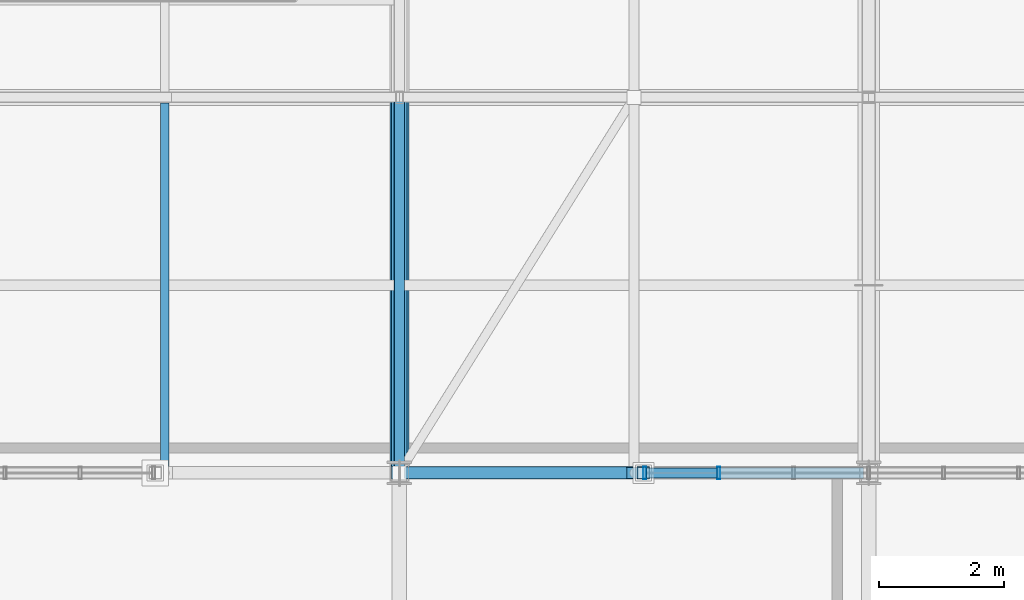
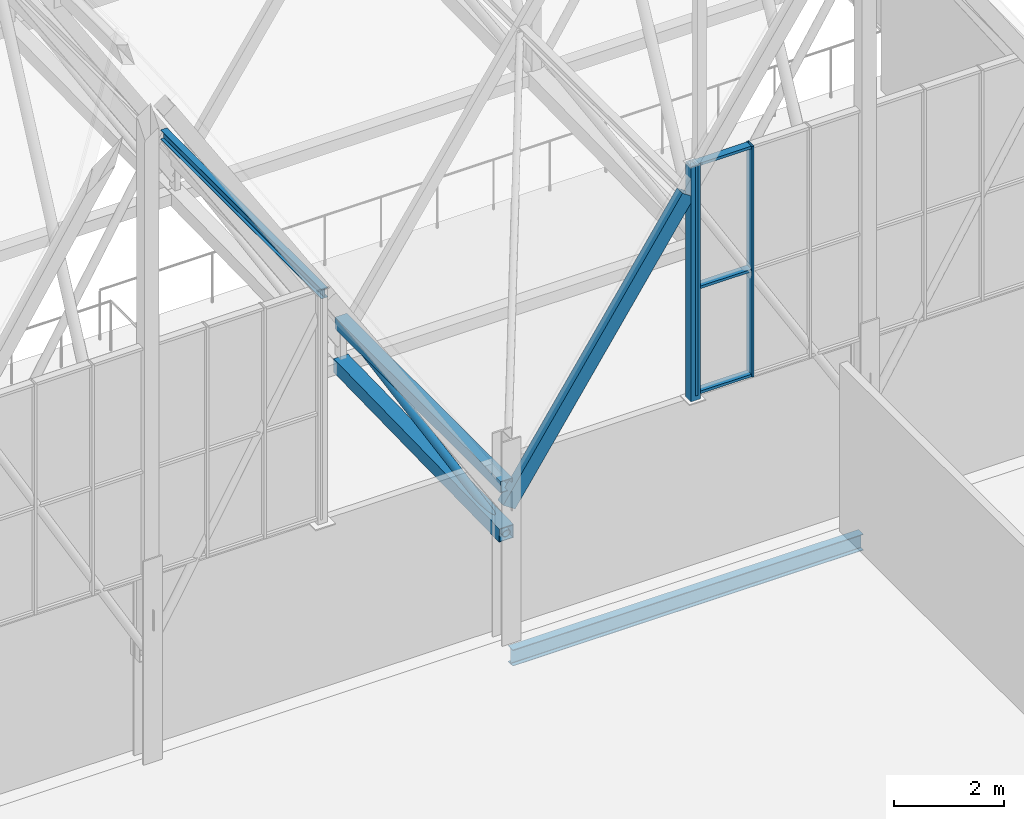
# One storey, part 212 of 324: 10 members, 2 beams, 1 element without a shape of its own.
"""IFC4 building model written with IfcOpenShell, lengths in metres."""

from ifc_helpers import new_model, si_unit, direction, frame, origin, origin_2d, place, context, subcontext, project, spatial, hollow_rectangle, hollow_circle, i_section, extrude, material, layer, layer_set, material_profile, profile_set, type_object, element, aggregate, save


model = new_model("IFC4")

# Units and contexts
model_context = context("Model", 3, precision=1e-05, world=origin(), true_north=direction((0.0, 1.0)))
body_context = subcontext(model_context, "Body", "Model", "MODEL_VIEW")
ifc_project = project(units=[si_unit("LENGTHUNIT", "METRE"), si_unit("AREAUNIT", "SQUARE_METRE"), si_unit("VOLUMEUNIT", "CUBIC_METRE"), si_unit("PLANEANGLEUNIT", "RADIAN"), si_unit("MASSUNIT", "GRAM", prefix="KILO")], contexts=[model_context])

# Site, building, storey
site_placement = place(None, origin())
site = spatial("IfcSite", under=ifc_project, at=site_placement, CompositionType="ELEMENT")
building_placement = place(site_placement, origin())
building = spatial("IfcBuilding", under=site, at=building_placement, Name="Solvenia Promenade Tram Depot", CompositionType="ELEMENT")
storey_placement = place(building_placement, frame((0.0, 0.0, 4.5)))
storey = spatial("IfcBuildingStorey", under=building, at=storey_placement, Name="L01", CompositionType="ELEMENT", Elevation=4.5)

# Curtain wall, members
ifc_material_1 = material(Name="Anodized aluminium AW-6063 T6", Category="aluminium")
ifc_layer = layer(ifc_material_1, 0.14990234375, Name="Anodized aluminium AW-6063 T6", Category="aluminium")
ifc_layer_set = layer_set([ifc_layer], Name="Anodized aluminium AW-6063 T6")
curtain_wall_type = type_object("IfcCurtainWallType", Name="CW-Gable-1200", PredefinedType="NOTDEFINED", material=ifc_layer_set)
curtain_wall_placement = place(storey_placement, origin())
curtain_wall = element("IfcCurtainWall", 1, at=curtain_wall_placement, inside=storey, type_object=curtain_wall_type, Name="South Zigzag Gable 10 Peak Glazing", PredefinedType="NOTDEFINED")
ifc_material_profile_1 = material_profile(ifc_material_1, hollow_rectangle(XDim=0.199951171875, YDim=0.048095703125, WallThickness=0.00390625, at=origin_2d()), Name="ALU-M3", Category="aluminium")
ifc_profile_set_1 = profile_set([ifc_material_profile_1], Name="Anodized aluminium AW-6063 T6")
member_type_1 = type_object("IfcMemberType", Name="CWM-Mullion-3", PredefinedType="MULLION", material=ifc_profile_set_1)
member_1_placement = place(storey_placement, frame((138.924072265625, 66.0, 4.050048828125), z_axis=(0.0, 0.0, 1.0), x_axis=(0.0, 1.0, 0.0)))
member_1 = element("IfcMember", 2, at=member_1_placement, type_object=member_type_1, Name="CW-3 mullion 1", PredefinedType="MULLION", context=body_context, shape_type="SweptSolid", body=[
    extrude(hollow_rectangle(XDim=0.199951171875, YDim=0.048095703125, WallThickness=0.00390625, at=origin_2d()), origin(), (0.0, 0.0, 1.0), 5.099853515625),
])
member_2_placement = place(storey_placement, frame((140.10009765625, 66.0, 4.050048828125), z_axis=(0.0, 0.0, 1.0), x_axis=(0.0, 1.0, 0.0)))
member_2 = element("IfcMember", 3, at=member_2_placement, type_object=member_type_1, Name="CW-3 mullion 2", PredefinedType="MULLION", context=body_context, shape_type="SweptSolid", body=[
    extrude(hollow_rectangle(XDim=0.199951171875, YDim=0.048095703125, WallThickness=0.00390625, at=origin_2d()), origin(), (0.0, 0.0, 1.0), 5.099853515625),
])
ifc_material_profile_2 = material_profile(ifc_material_1, hollow_rectangle(XDim=0.159912109375, YDim=0.05810546875, WallThickness=0.00390625, at=origin_2d()), Name="ALU-T3", Category="aluminium")
ifc_profile_set_2 = profile_set([ifc_material_profile_2], Name="Anodized aluminium AW-6063 T6")
member_type_2 = type_object("IfcMemberType", Name="CWT-Transom-3", PredefinedType="USERDEFINED", material=ifc_profile_set_2)
member_3_placement = place(storey_placement, frame((138.947998046875, 66.0, 4.0791015625), z_axis=(1.0, 0.0, 0.0), x_axis=(0.0, 1.0, 0.0)))
member_3 = element("IfcMember", 4, at=member_3_placement, type_object=member_type_2, Name="CW-3 transom 1.1", ObjectType="TRANSOM", PredefinedType="USERDEFINED", context=body_context, shape_type="SweptSolid", body=[
    extrude(hollow_rectangle(XDim=0.159912109375, YDim=0.05810546875, WallThickness=0.00390625, at=origin_2d()), origin(), (0.0, 0.0, 1.0), 1.1279296875),
])
member_4_placement = place(storey_placement, frame((138.947998046875, 66.0, 6.39990234375), z_axis=(1.0, 0.0, 0.0), x_axis=(0.0, 1.0, 0.0)))
member_4 = element("IfcMember", 5, at=member_4_placement, type_object=member_type_2, Name="CW-3 transom 1.2", ObjectType="TRANSOM", PredefinedType="USERDEFINED", context=body_context, shape_type="SweptSolid", body=[
    extrude(hollow_rectangle(XDim=0.159912109375, YDim=0.05810546875, WallThickness=0.00390625, at=origin_2d()), origin(), (0.0, 0.0, 1.0), 1.1279296875),
])
member_5_placement = place(storey_placement, frame((138.947998046875, 66.0, 9.12109375), z_axis=(1.0, 0.0, 0.0), x_axis=(0.0, 1.0, 0.0)))
member_5 = element("IfcMember", 6, at=member_5_placement, type_object=member_type_2, Name="CW-3 transom 1.3", ObjectType="TRANSOM", PredefinedType="USERDEFINED", context=body_context, shape_type="SweptSolid", body=[
    extrude(hollow_rectangle(XDim=0.159912109375, YDim=0.05810546875, WallThickness=0.00390625, at=origin_2d()), origin(), (0.0, 0.0, 1.0), 1.1279296875),
])
aggregate(curtain_wall, [member_1, member_2, member_3, member_4, member_5])

# Members
ifc_material_2 = material(Name="Structural steel ASTM A500 Gr. C", Category="steel")
ifc_material_profile_3 = material_profile(ifc_material_2, hollow_rectangle(XDim=0.25, YDim=0.25, WallThickness=0.010009765625, at=origin_2d()), Name="HSS250x250x10", Category="steel")
ifc_profile_set_3 = profile_set([ifc_material_profile_3], Name="Structural steel ASTM A500 Gr. C")
member_type_3 = type_object("IfcMemberType", Name="Chord-HSS250x250x10", PredefinedType="CHORD", material=ifc_profile_set_3)
member_6_placement = place(storey_placement, frame((135.0, 66.0, 3.3798828125), z_axis=(0.0, 1.0, 0.0), x_axis=(-1.0, 0.0, 0.0)))
element("IfcMember", 7, at=member_6_placement, inside=storey, type_object=member_type_3, Name="Arched Truss T19 Upper Chord S01", PredefinedType="CHORD", context=body_context, shape_type="SweptSolid", body=[
    extrude(hollow_rectangle(XDim=0.25, YDim=0.25, WallThickness=0.010009765625, at=origin_2d()), origin(), (0.0, 0.0, 1.0), 6.0),
])
ifc_material_profile_4 = material_profile(ifc_material_2, hollow_rectangle(XDim=0.199951171875, YDim=0.300048828125, WallThickness=0.012451171875, at=origin_2d()), Name="HSS300x200x12.5", Category="steel")
ifc_profile_set_4 = profile_set([ifc_material_profile_4], Name="Structural steel ASTM A500 Gr. C")
member_type_4 = type_object("IfcMemberType", Name="Chord-HSS300x200x12", PredefinedType="CHORD", material=ifc_profile_set_4)
member_7_placement = place(storey_placement, frame((135.0, 66.0, 2.95703125), z_axis=(0.557276274528, 0.0, 0.830327136644), x_axis=(0.0, 1.0, 0.0)))
element("IfcMember", 8, at=member_7_placement, inside=storey, type_object=member_type_4, Name="Zigzag Gable 10 West Lower Rafter", PredefinedType="CHORD", context=body_context, shape_type="SweptSolid", body=[
    extrude(hollow_rectangle(XDim=0.199951171875, YDim=0.300048828125, WallThickness=0.012451171875, at=origin_2d()), origin(), (0.0, 0.0, 1.0), 6.729248046875),
])
ifc_material_profile_5 = material_profile(ifc_material_2, hollow_rectangle(XDim=0.300048828125, YDim=0.300048828125, WallThickness=0.012451171875, at=origin_2d()), Name="HSS300x300x12.5", Category="steel")
ifc_profile_set_5 = profile_set([ifc_material_profile_5], Name="Structural steel ASTM A500 Gr. C")
member_type_5 = type_object("IfcMemberType", Name="Chord-HSS300x300x12", PredefinedType="CHORD", material=ifc_profile_set_5)
member_8_placement = place(storey_placement, frame((135.0, 66.0, 2.320068359375), z_axis=(0.0, 0.999779654873, 0.020991467363), x_axis=(-1.0, 0.0, 0.0)))
element("IfcMember", 9, at=member_8_placement, inside=storey, type_object=member_type_5, Name="Arched Truss T19 Bottom Chord S01", PredefinedType="CHORD", context=body_context, shape_type="SweptSolid", body=[
    extrude(hollow_rectangle(XDim=0.300048828125, YDim=0.300048828125, WallThickness=0.012451171875, at=origin_2d()), origin(), (0.0, 0.0, 1.0), 6.001220703125),
])
ifc_material_profile_6 = material_profile(ifc_material_2, hollow_rectangle(XDim=0.199951171875, YDim=0.199951171875, WallThickness=0.010009765625, at=origin_2d()), Name="HSS200x200x10", Category="steel")
ifc_profile_set_6 = profile_set([ifc_material_profile_6], Name="Structural steel ASTM A500 Gr. C")
member_type_6 = type_object("IfcMemberType", Name="Post-HSS200x200x10", PredefinedType="POST", material=ifc_profile_set_6)
member_9_placement = place(storey_placement, frame((138.89990234375, 66.0, 3.949951171875), z_axis=(0.0, 0.0, 1.0), x_axis=(1.0, 0.0, 0.0)))
element("IfcMember", 10, at=member_9_placement, inside=storey, type_object=member_type_6, Name="Gable Curtain-Wall Steel Jamb Post 039", PredefinedType="POST", context=body_context, shape_type="SweptSolid", body=[
    extrude(hollow_rectangle(XDim=0.199951171875, YDim=0.199951171875, WallThickness=0.010009765625, at=origin_2d()), origin(), (0.0, 0.0, 1.0), 5.199951171875),
])

# Beams
ifc_material_3 = material(Name="Structural steel ASTM A992 Gr. 50", Category="steel")
ifc_material_profile_7 = material_profile(ifc_material_3, i_section(OverallWidth=0.133056640625, OverallDepth=0.20703125, WebThickness=0.005859375, FlangeThickness=0.00830078125, FilletRadius=0.009033203125, at=origin_2d()), Name="W200x27", Category="steel")
ifc_profile_set_7 = profile_set([ifc_material_profile_7], Name="Structural steel ASTM A992 Gr. 50")
beam_type_1 = type_object("IfcBeamType", Name="Purlin-W200x27", PredefinedType="USERDEFINED", material=ifc_profile_set_7)
beam_1_placement = place(storey_placement, frame((131.25, 66.0849609375, 8.8857421875), z_axis=(0.0, 1.0, 0.0), x_axis=(-1.0, 0.0, 0.0)))
element("IfcBeam", 11, at=beam_1_placement, inside=storey, type_object=beam_type_1, Name="Gable Roof Purlin E-0162", ObjectType="PURLIN", PredefinedType="USERDEFINED", context=body_context, shape_type="SweptSolid", body=[
    extrude(i_section(OverallWidth=0.133056640625, OverallDepth=0.20703125, WebThickness=0.005859375, FlangeThickness=0.00830078125, FilletRadius=0.009033203125, at=origin_2d()), origin(), (0.0, 0.0, 1.0), 5.830078125),
])
ifc_material_profile_8 = material_profile(ifc_material_3, i_section(OverallWidth=0.172119140625, OverallDepth=0.35791015625, WebThickness=0.0078125, FlangeThickness=0.01318359375, FilletRadius=0.010986328125, at=origin_2d()), Name="W360x57", Category="steel")
ifc_profile_set_8 = profile_set([ifc_material_profile_8], Name="Structural steel ASTM A992 Gr. 50")
beam_type_2 = type_object("IfcBeamType", Name="Spandrel-W360x57", PredefinedType="SPANDREL", material=ifc_profile_set_8)
beam_2_placement = place(storey_placement, frame((135.0849609375, 66.0, -0.4189453125), z_axis=(1.0, 0.0, 0.0), x_axis=(0.0, 1.0, 0.0)))
element("IfcBeam", 12, at=beam_2_placement, inside=storey, type_object=beam_type_2, Name="Perimeter Spandrel BM-L01-0019", PredefinedType="SPANDREL", context=body_context, shape_type="SweptSolid", body=[
    extrude(i_section(OverallWidth=0.172119140625, OverallDepth=0.35791015625, WebThickness=0.0078125, FlangeThickness=0.01318359375, FilletRadius=0.010986328125, at=origin_2d()), origin(), (0.0, 0.0, 1.0), 7.330078125),
])

# Member
ifc_material_profile_9 = material_profile(ifc_material_2, hollow_circle(Radius=0.084228515625, WallThickness=0.008056640625, at=origin_2d()), Name="CHS168.3x8", Category="steel")
ifc_profile_set_9 = profile_set([ifc_material_profile_9], Name="Structural steel ASTM A500 Gr. C")
member_type_7 = type_object("IfcMemberType", Name="WebDiag-CHS168x8", PredefinedType="BRACE", material=ifc_profile_set_9)
member_10_placement = place(storey_placement, frame((135.0, 66.0, 2.320068359375), z_axis=(0.0, 0.984755712458, 0.173943056143), x_axis=(-1.0, 0.0, 0.0)))
element("IfcMember", 13, at=member_10_placement, inside=storey, type_object=member_type_7, Name="Arched Truss T19 Web Diagonal S01", PredefinedType="BRACE", context=body_context, shape_type="SweptSolid", body=[
    extrude(hollow_circle(Radius=0.084228515625, WallThickness=0.008056640625, at=origin_2d()), origin(), (0.0, 0.0, 1.0), 6.0927734375),
])

save(model, "model.ifc")
